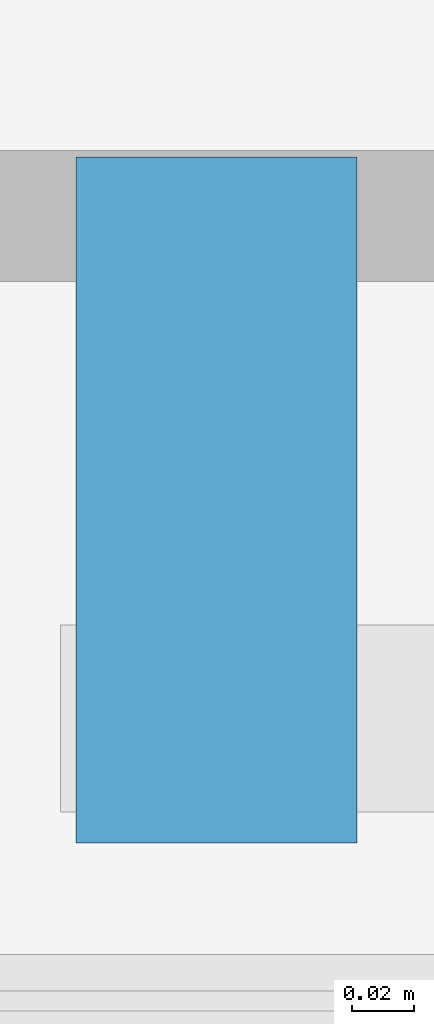
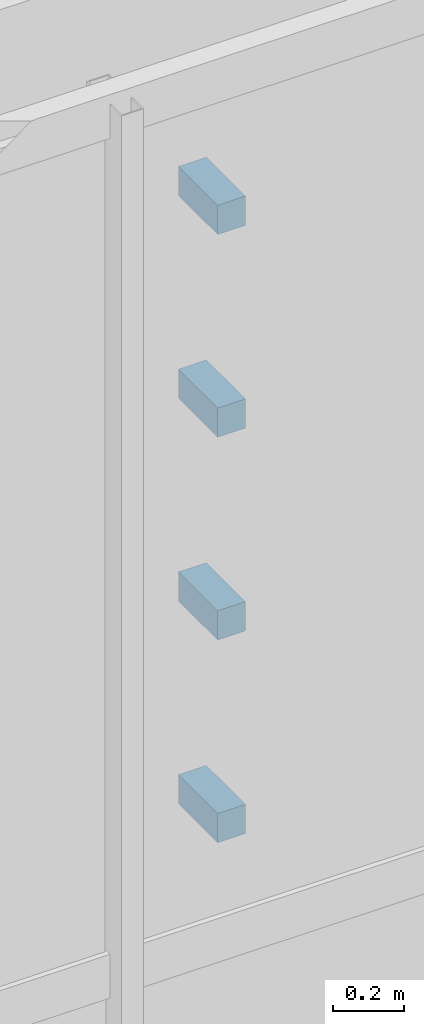
# One storey, part 33 of 38: 4 discrete accessories.
"""IFC4 building model written with IfcOpenShell, lengths in metres."""

from ifc_helpers import new_model, si_unit, direction, frame, origin, origin_2d, place, context, subcontext, project, spatial, rectangle, extrude, material, type_object, element, save


model = new_model("IFC4")

# Units and contexts
model_context = context("Model", 3, precision=1e-05, world=origin(), true_north=direction((0.0, 1.0)))
body_context = subcontext(model_context, "Body", "Model", "MODEL_VIEW")
ifc_project = project(units=[si_unit("LENGTHUNIT", "METRE"), si_unit("AREAUNIT", "SQUARE_METRE"), si_unit("VOLUMEUNIT", "CUBIC_METRE"), si_unit("PLANEANGLEUNIT", "RADIAN"), si_unit("MASSUNIT", "GRAM", prefix="KILO")], contexts=[model_context])

# Site, building, storey
site_placement = place(None, origin())
site = spatial("IfcSite", under=ifc_project, at=site_placement, CompositionType="ELEMENT")
building_placement = place(site_placement, origin())
building = spatial("IfcBuilding", under=site, at=building_placement, Name="Punatoya Terracotta Tower", CompositionType="ELEMENT")
storey_placement = place(building_placement, frame((0.0, 0.0, 143.85009765625)))
storey = spatial("IfcBuildingStorey", under=building, at=storey_placement, Name="L33", CompositionType="ELEMENT", Elevation=143.85009765625)

# Discrete accessories
ifc_material = material(Name="Steel S355", Category="steel")
discrete_accessory_type = type_object("IfcDiscreteAccessoryType", Name="ACC-BRK-220", PredefinedType="BRACKET", material=ifc_material)
for number, where, z_axis, x_axis, name in (
    (1, (-3.75, -18.27001953125, 1.099853515625), (0.0, 0.0, 1.0), (1.0, 0.0, 0.0), "L33 Baguette Louvre Column Bracket BAG-L33-S-01"),
    (2, (-3.75, -18.27001953125, 1.793212890625), (0.0, 0.0, 1.0), (1.0, 0.0, 0.0), "L33 Baguette Louvre Column Bracket BAG-L33-S-02"),
    (3, (-3.75, -18.27001953125, 2.486572265625), (0.0, 0.0, 1.0), (1.0, 0.0, 0.0), "L33 Baguette Louvre Column Bracket BAG-L33-S-03"),
    (4, (-3.75, -18.27001953125, 3.179931640625), (0.0, 0.0, 1.0), (1.0, 0.0, 0.0), "L33 Baguette Louvre Column Bracket BAG-L33-S-04"),
):
    element("IfcDiscreteAccessory", number, at=place(storey_placement, frame(where, z_axis=z_axis, x_axis=x_axis)), inside=storey, type_object=discrete_accessory_type, Name=name, PredefinedType="BRACKET", context=body_context, shape_type="SweptSolid", body=[
        extrude(rectangle(XDim=0.090087890625, YDim=0.219970703125, at=origin_2d()), origin(), (0.0, 0.0, 1.0), 0.10009765625),
    ])

save(model, "model.ifc")
